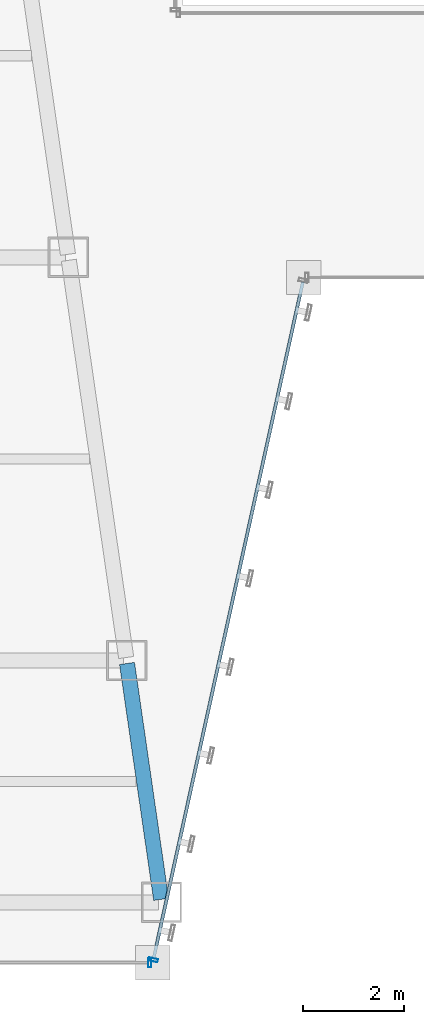
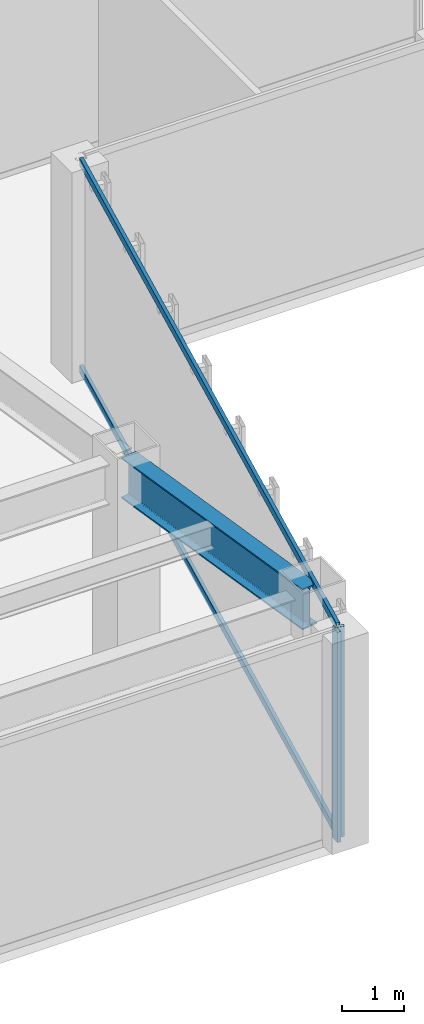
# One storey, part 7 of 47: 4 members, 1 beam, 2 elements without a shape of their own.
"""IFC4 building model written with IfcOpenShell, lengths in metres."""

from ifc_helpers import new_model, si_unit, direction, frame, origin, origin_2d, place, context, subcontext, project, spatial, hollow_rectangle, i_section, extrude, material, material_profile, profile_set, type_object, element, aggregate, save


model = new_model("IFC4")

# Units and contexts
model_context = context("Model", 3, precision=1e-05, world=origin(), true_north=direction((0.0, 1.0)))
body_context = subcontext(model_context, "Body", "Model", "MODEL_VIEW")
ifc_project = project(units=[si_unit("LENGTHUNIT", "METRE"), si_unit("AREAUNIT", "SQUARE_METRE"), si_unit("VOLUMEUNIT", "CUBIC_METRE"), si_unit("PLANEANGLEUNIT", "RADIAN"), si_unit("MASSUNIT", "GRAM", prefix="KILO")], contexts=[model_context])

# Site, building, storey
site_placement = place(None, origin())
site = spatial("IfcSite", under=ifc_project, at=site_placement, CompositionType="ELEMENT")
building_placement = place(site_placement, origin())
building = spatial("IfcBuilding", under=site, at=building_placement, Name="Saevonmaru Cultural Tower", CompositionType="ELEMENT")
storey_placement = place(building_placement, frame((0.0, 0.0, 60.39990234375)))
storey = spatial("IfcBuildingStorey", under=building, at=storey_placement, Name="L12", CompositionType="ELEMENT", Elevation=60.39990234375)

# Beam
ifc_material_1 = material(Name="Steel SM420", Category="steel")
ifc_material_profile_1 = material_profile(ifc_material_1, i_section(OverallWidth=0.300048828125, OverallDepth=0.800048828125, WebThickness=0.013916015625, FlangeThickness=0.02587890625, FilletRadius=0.028076171875, at=origin_2d()), Name="H-800x300x14x26")
ifc_profile_set_1 = profile_set([ifc_material_profile_1], Name="Steel SM420")
beam_type = type_object("IfcBeamType", Name="BM-G-H800", PredefinedType="BEAM", material=ifc_profile_set_1)
beam_placement = place(storey_placement, frame((23.768310546875, 3.259521484375, 3.75), z_axis=(-0.143083234893, 0.989710658674, 0.0), x_axis=(-0.989710658674, -0.143083234893, 0.0)))
element("IfcBeam", 1, at=beam_placement, inside=storey, type_object=beam_type, Name="L12 West Atrium Girder 1", PredefinedType="BEAM", context=body_context, shape_type="SweptSolid", body=[
    extrude(i_section(OverallWidth=0.300048828125, OverallDepth=0.800048828125, WebThickness=0.013916015625, FlangeThickness=0.02587890625, FilletRadius=0.028076171875, at=origin_2d()), origin(), (0.0, 0.0, 1.0), 4.729736328125),
])

# Curtain wall, member
ifc_material_2 = material(Name="Satin Bronze Anodised Aluminium", Category="aluminium")
curtain_wall_type = type_object("IfcCurtainWallType", Name="CW-TYP-A", PredefinedType="NOTDEFINED", material=ifc_material_2)
curtain_wall_1_placement = place(storey_placement, origin())
curtain_wall_1 = element("IfcCurtainWall", 2, at=curtain_wall_1_placement, inside=storey, type_object=curtain_wall_type, Name="L12 Unitised Curtain Wall E2", PredefinedType="NOTDEFINED")
ifc_material_profile_2 = material_profile(ifc_material_2, hollow_rectangle(XDim=0.06494140625, YDim=0.179931640625, WallThickness=0.00390625, at=origin_2d()), Name="ALU-MULL-180x65x4")
ifc_profile_set_2 = profile_set([ifc_material_profile_2], Name="Satin Bronze Anodised Aluminium")
member_type_1 = type_object("IfcMemberType", Name="ML-CW-180x65", PredefinedType="MULLION", material=ifc_profile_set_2)
member_1_placement = place(storey_placement, frame((23.5400390625, 2.0, 0.0), z_axis=(0.0, 0.0, 1.0), x_axis=(1.0, 0.0, 0.0)))
member_1 = element("IfcMember", 3, at=member_1_placement, type_object=member_type_1, Name="CW-TW-L12-E2 mullion 2", PredefinedType="MULLION", context=body_context, shape_type="SweptSolid", body=[
    extrude(hollow_rectangle(XDim=0.06494140625, YDim=0.179931640625, WallThickness=0.00390625, at=origin_2d()), origin(), (0.0, 0.0, 1.0), 4.150146484375),
])
aggregate(curtain_wall_1, [member_1])

# Curtain wall, members
curtain_wall_2_placement = place(storey_placement, origin())
curtain_wall_2 = element("IfcCurtainWall", 4, at=curtain_wall_2_placement, inside=storey, type_object=curtain_wall_type, Name="L12 Unitised Curtain Wall E3", PredefinedType="NOTDEFINED")
member_2_placement = place(storey_placement, frame((23.61279296875, 2.05859375, 0.0), z_axis=(0.0, 0.0, 1.0), x_axis=(0.215413319953, 0.976522965212, 0.0)))
member_2 = element("IfcMember", 5, at=member_2_placement, type_object=member_type_1, Name="CW-TW-L12-E3 mullion 1", PredefinedType="MULLION", context=body_context, shape_type="SweptSolid", body=[
    extrude(hollow_rectangle(XDim=0.06494140625, YDim=0.179931640625, WallThickness=0.00390625, at=origin_2d()), origin(), (0.0, 0.0, 1.0), 4.150146484375),
])
ifc_material_profile_3 = material_profile(ifc_material_2, hollow_rectangle(XDim=0.06494140625, YDim=0.14990234375, WallThickness=0.00390625, at=origin_2d()), Name="ALU-TRAN-150x65x4")
ifc_profile_set_3 = profile_set([ifc_material_profile_3], Name="Satin Bronze Anodised Aluminium")
member_type_2 = type_object("IfcMemberType", Name="TR-CW-150x65", PredefinedType="USERDEFINED", material=ifc_profile_set_3)
member_3_placement = place(storey_placement, frame((23.619873046875, 2.09033203125, 0.03271484375), z_axis=(0.21541214732, 0.976523223885, 0.0), x_axis=(-0.976523223885, 0.21541214732, 0.0)))
member_3 = element("IfcMember", 6, at=member_3_placement, type_object=member_type_2, Name="CW-TW-L12-E3 transom 1.1", ObjectType="TRANSOM", PredefinedType="USERDEFINED", context=body_context, shape_type="SweptSolid", body=[
    extrude(hollow_rectangle(XDim=0.06494140625, YDim=0.14990234375, WallThickness=0.00390625, at=origin_2d()), origin(), (0.0, 0.0, 1.0), 13.741943359375),
])
member_4_placement = place(storey_placement, frame((23.619873046875, 2.09033203125, 4.11767578125), z_axis=(0.21541214732, 0.976523223885, 0.0), x_axis=(-0.976523223885, 0.21541214732, 0.0)))
member_4 = element("IfcMember", 7, at=member_4_placement, type_object=member_type_2, Name="CW-TW-L12-E3 transom 1.2", ObjectType="TRANSOM", PredefinedType="USERDEFINED", context=body_context, shape_type="SweptSolid", body=[
    extrude(hollow_rectangle(XDim=0.06494140625, YDim=0.14990234375, WallThickness=0.00390625, at=origin_2d()), origin(), (0.0, 0.0, 1.0), 13.741943359375),
])
aggregate(curtain_wall_2, [member_2, member_3, member_4])

save(model, "model.ifc")
